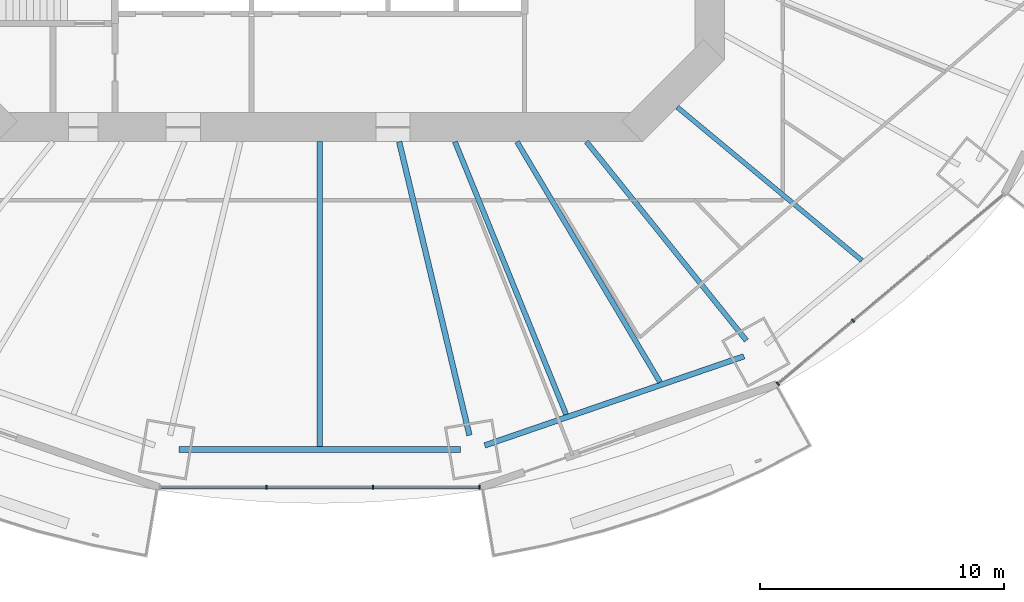
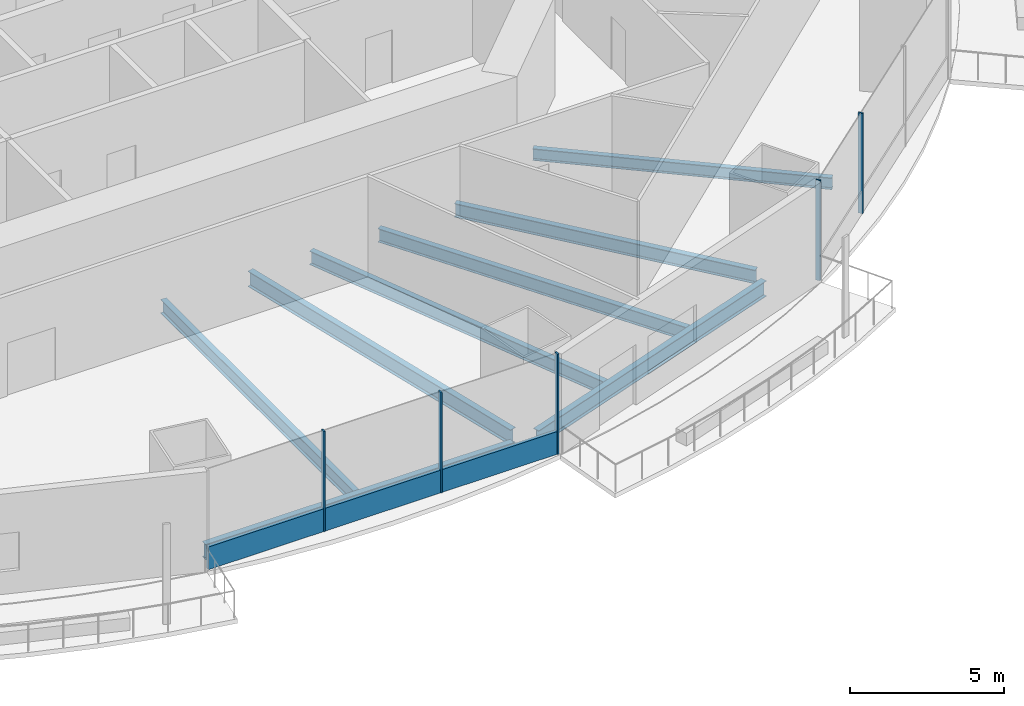
# One storey, part 4 of 21: 8 beams, 6 members, 2 elements without a shape of their own.
"""IFC4 building model written with IfcOpenShell, lengths in metres."""

import ifcopenshell
import ifcopenshell.guid

model = None  # the IFC model being written
_history = None  # IfcOwnerHistory: only IFC2X3 demands one
_inside = {}  # id of a spatial element -> (the spatial element, [elements in it])
_under = {}  # id of a project, library or spatial element -> (it, [spatial elements below it])
_declared = {}  # id of a project -> (the project, [libraries it declares])
_typed = {}  # id of a type object -> (the type object, [elements of that type])
_made_of = {}  # id of a material, layer set ... -> (it, [elements and type objects made of it])


def new_model(schema):
    """Start an empty IFC model of exactly this schema.

    Asked for "IFC4X3", IfcOpenShell would pick the latest addendum, in which some entities
    have other attributes; the version numbers below select the first issue.
    IFC2X3 requires an IfcOwnerHistory on every rooted entity: one is made here for all.
    """
    global model, _history
    if schema == "IFC4X3":
        model = ifcopenshell.file(schema_version=(4, 3, 0, 0))
    else:
        model = ifcopenshell.file(schema=schema)
    _inside.clear()
    _under.clear()
    _declared.clear()
    _typed.clear()
    _made_of.clear()
    _history = None
    if model.schema == "IFC2X3":
        org = make("IfcOrganization", Name="unknown")
        user = make(
            "IfcPersonAndOrganization",
            ThePerson=make("IfcPerson", FamilyName="unknown"),
            TheOrganization=org,
        )
        app = make(
            "IfcApplication",
            ApplicationDeveloper=org,
            Version="unknown",
            ApplicationFullName="unknown",
            ApplicationIdentifier="unknown",
        )
        _history = make(
            "IfcOwnerHistory",
            OwningUser=user,
            OwningApplication=app,
            ChangeAction="ADDED",
            CreationDate=0,
        )
    return model


def make(cls, **values):
    """One entity of the class cls with the attributes given. An attribute that is None is left unset."""
    return model.create_entity(
        cls, **{name: value for name, value in values.items() if value is not None}
    )


def rooted(cls, **values):
    """An entity with a GlobalId (a new one), such as an element, a storey or a relation."""
    return make(cls, GlobalId=ifcopenshell.guid.new(), OwnerHistory=_history, **values)


def si_unit(unit_type, name, prefix=None):
    """IfcSIUnit, for example si_unit("LENGTHUNIT", "METRE", prefix="MILLI")."""
    return make("IfcSIUnit", UnitType=unit_type, Prefix=prefix, Name=name)


def assignment(units):
    """IfcUnitAssignment: the units of a project."""
    return None if units is None else make("IfcUnitAssignment", Units=units)


def point(xyz):
    """IfcCartesianPoint."""
    return None if xyz is None else make("IfcCartesianPoint", Coordinates=xyz)


def direction(xyz):
    """IfcDirection."""
    return None if xyz is None else make("IfcDirection", DirectionRatios=xyz)


def frame(location, z_axis=None, x_axis=None):
    """IfcAxis2Placement3D, a coordinate frame: its origin and axes. An axis left out is left unset."""
    return make(
        "IfcAxis2Placement3D",
        Location=point(location),
        Axis=direction(z_axis),
        RefDirection=direction(x_axis),
    )


def frame_2d(location, x_axis=None):
    """IfcAxis2Placement2D, a coordinate frame in the plane: its origin and x axis."""
    return make(
        "IfcAxis2Placement2D", Location=point(location), RefDirection=direction(x_axis)
    )


def origin():
    """The frame at (0, 0, 0) with its axes left unset."""
    return frame((0.0, 0.0, 0.0))


def origin_2d():
    """The frame at (0, 0) in the plane with its x axis left unset."""
    return frame_2d((0.0, 0.0))


def place(relative_to, where):
    """IfcLocalPlacement: puts the frame where relative to a parent placement (None: the world)."""
    return make(
        "IfcLocalPlacement", PlacementRelTo=relative_to, RelativePlacement=where
    )


def context(
    kind, dimensions, precision=None, world=None, true_north=None, identifier=None
):
    """IfcGeometricRepresentationContext, for example the 3D "Model" context."""
    return make(
        "IfcGeometricRepresentationContext",
        ContextIdentifier=identifier,
        ContextType=kind,
        CoordinateSpaceDimension=dimensions,
        Precision=precision,
        WorldCoordinateSystem=world,
        TrueNorth=true_north,
    )


def subcontext(parent, identifier, kind, view, scale=None):
    """IfcGeometricRepresentationSubContext, for example "Body" below "Model"."""
    return make(
        "IfcGeometricRepresentationSubContext",
        ContextIdentifier=identifier,
        ContextType=kind,
        ParentContext=parent,
        TargetScale=scale,
        TargetView=view,
    )


def project(units=None, contexts=None):
    """IfcProject with its units and contexts."""
    return rooted(
        "IfcProject",
        Name="project",
        RepresentationContexts=contexts,
        UnitsInContext=assignment(units),
    )


def spatial(cls, under=None, at=None, **own):
    """A site, building, storey or space (cls), placed at a placement, below another one or the project."""
    s = rooted(cls, ObjectPlacement=at, **own)
    if under is not None:
        _under.setdefault(under.id(), (under, []))[1].append(s)
    return s


def profile(cls, at=None, kind="AREA", **sizes):
    """A parametric profile (cls). Its sizes go by their IFC names, for example OverallWidth=200.0."""
    return make(cls, ProfileType=kind, Position=at, **sizes)


def rectangle(**sizes):
    """IfcRectangleProfileDef."""
    return profile("IfcRectangleProfileDef", **sizes)


def i_section(**sizes):
    """IfcIShapeProfileDef."""
    return profile("IfcIShapeProfileDef", **sizes)


def extrude(swept, where, along, depth):
    """IfcExtrudedAreaSolid: the profile swept, set in the frame where, extruded along a direction by depth."""
    return make(
        "IfcExtrudedAreaSolid",
        SweptArea=swept,
        Position=where,
        ExtrudedDirection=direction(along),
        Depth=depth,
    )


def shape(context_of_items, identifier, shape_type, items):
    """IfcShapeRepresentation: the items that make up one representation, for example the "Body"."""
    return make(
        "IfcShapeRepresentation",
        ContextOfItems=context_of_items,
        RepresentationIdentifier=identifier,
        RepresentationType=shape_type,
        Items=items,
    )


def material(Name=None, Category=None):
    """IfcMaterial."""
    return make("IfcMaterial", Name=Name, Category=Category)


def material_profile(
    of_material, cross_section, Name=None, Category=None, Priority=None
):
    """IfcMaterialProfile: a cross section and its material."""
    return make(
        "IfcMaterialProfile",
        Name=Name,
        Material=of_material,
        Profile=cross_section,
        Priority=Priority,
        Category=Category,
    )


def profile_set(profiles, Name=None, composite=None):
    """IfcMaterialProfileSet."""
    return make(
        "IfcMaterialProfileSet",
        Name=Name,
        MaterialProfiles=profiles,
        CompositeProfile=composite,
    )


def made_of(thing, what):
    """Note that an element or type object is made of a material, layer set ...; save() writes the relation."""
    if what is not None:
        _made_of.setdefault(what.id(), (what, []))[1].append(thing)
    return thing


def type_object(cls, material=None, **own):
    """A type object (cls), such as IfcWallType, which elements share."""
    return made_of(rooted(cls, **own), material)


def element(
    cls,
    number,
    at=None,
    inside=None,
    cuts=None,
    type_object=None,
    material=None,
    context=None,
    identifier="Body",
    shape_type=None,
    held_by="IfcProductDefinitionShape",
    body=None,
    shapes=None,
    **own,
):
    """One element of the class cls, such as IfcWall. Its Tag is "e" and its number.

    at: its placement. inside: the storey or other place that contains it. cuts: it is an
    opening in that element (IfcRelVoidsElement). A single representation is given by context,
    identifier, shape_type and body (its items); several are given by shapes. held_by: the class
    of the entity that holds the representations. save() writes the other relations.
    """
    e = rooted(cls, Tag="e%d" % number, ObjectPlacement=at, **own)
    if body is not None:
        shapes = [shape(context, identifier, shape_type, body)]
    if shapes is not None:
        e.Representation = make(held_by, Representations=shapes)
    if inside is not None:
        _inside.setdefault(inside.id(), (inside, []))[1].append(e)
    if cuts is not None:
        rooted(
            "IfcRelVoidsElement", RelatingBuildingElement=cuts, RelatedOpeningElement=e
        )
    if type_object is not None:
        _typed.setdefault(type_object.id(), (type_object, []))[1].append(e)
    return made_of(e, material)


def aggregate(whole, parts):
    """IfcRelAggregates: a whole, such as a stair, and the parts it consists of."""
    return rooted("IfcRelAggregates", RelatingObject=whole, RelatedObjects=parts)


def save(model, path):
    """Write the relations noted so far, then the file.

    IfcRelAggregates (storeys below a building ...), IfcRelContainedInSpatialStructure (elements
    in a storey), IfcRelDefinesByType, IfcRelAssociatesMaterial and IfcRelDeclares: one each for
    every whole, place, type object, material and project.
    """
    for whole, parts in _under.values():
        aggregate(whole, parts)
    for where, things in _inside.values():
        rooted(
            "IfcRelContainedInSpatialStructure",
            RelatedElements=things,
            RelatingStructure=where,
        )
    for kind, things in _typed.values():
        rooted("IfcRelDefinesByType", RelatedObjects=things, RelatingType=kind)
    for what, things in _made_of.values():
        rooted("IfcRelAssociatesMaterial", RelatedObjects=things, RelatingMaterial=what)
    for by, libraries in _declared.values():
        rooted("IfcRelDeclares", RelatingContext=by, RelatedDefinitions=libraries)
    model.write(path)


model = new_model("IFC4")

# Units and contexts
model_context = context("Model", 3, precision=1e-05, world=origin(), true_north=direction((0.0, 1.0)))
body_context = subcontext(model_context, "Body", "Model", "MODEL_VIEW")
ifc_project = project(units=[si_unit("LENGTHUNIT", "METRE"), si_unit("AREAUNIT", "SQUARE_METRE"), si_unit("VOLUMEUNIT", "CUBIC_METRE"), si_unit("PLANEANGLEUNIT", "RADIAN"), si_unit("MASSUNIT", "GRAM", prefix="KILO")], contexts=[model_context])

# Site, building, storey
site_placement = place(None, origin())
site = spatial("IfcSite", under=ifc_project, at=site_placement, CompositionType="ELEMENT")
building_placement = place(site_placement, origin())
building = spatial("IfcBuilding", under=site, at=building_placement, Name="Marenthal Gate Tower", CompositionType="ELEMENT")
storey_placement = place(building_placement, frame((0.0, 0.0, 128.449951171875)))
storey = spatial("IfcBuildingStorey", under=building, at=storey_placement, Name="L27", CompositionType="ELEMENT", Elevation=128.449951171875)

# Curtain wall, members
ifc_material_1 = material(Name="Aluminium and glass", Category="aluminium")
curtain_wall_type = type_object("IfcCurtainWallType", Name="Curtain wall typical low", PredefinedType="NOTDEFINED", material=ifc_material_1)
curtain_wall_1_placement = place(storey_placement, origin())
curtain_wall_1 = element("IfcCurtainWall", 1, at=curtain_wall_1_placement, inside=storey, type_object=curtain_wall_type, Name="Curtain wall L27 bay 12", PredefinedType="NOTDEFINED")
ifc_material_2 = material(Name="Aluminium", Category="aluminium")
ifc_material_profile_1 = material_profile(ifc_material_2, rectangle(XDim=0.159912109375, YDim=0.06005859375, at=origin_2d()), Name="60x160 aluminium mullion")
ifc_profile_set_1 = profile_set([ifc_material_profile_1], Name="Aluminium")
member_type_1 = type_object("IfcMemberType", Name="Mullion 60x160 typical low", PredefinedType="MULLION", material=ifc_profile_set_1)
member_1_placement = place(storey_placement, frame((-2.18701171875, -27.77783203125, 0.0), z_axis=(0.0, 0.0, 1.0), x_axis=(0.0, 1.0, 0.0)))
member_1 = element("IfcMember", 2, at=member_1_placement, type_object=member_type_1, Name="Mullion L27 bay 12.2", PredefinedType="MULLION", context=body_context, shape_type="SweptSolid", body=[
    extrude(rectangle(XDim=0.159912109375, YDim=0.06005859375, at=origin_2d()), origin(), (0.0, 0.0, 1.0), 3.969970703125),
])
member_2_placement = place(storey_placement, frame((2.18701171875, -27.77783203125, 0.0), z_axis=(0.0, 0.0, 1.0), x_axis=(0.0, 1.0, 0.0)))
member_2 = element("IfcMember", 3, at=member_2_placement, type_object=member_type_1, Name="Mullion L27 bay 12.3", PredefinedType="MULLION", context=body_context, shape_type="SweptSolid", body=[
    extrude(rectangle(XDim=0.159912109375, YDim=0.06005859375, at=origin_2d()), origin(), (0.0, 0.0, 1.0), 3.969970703125),
])
member_3_placement = place(storey_placement, frame((6.560791015625, -27.77783203125, 0.0), z_axis=(0.0, 0.0, 1.0), x_axis=(0.0, 1.0, 0.0)))
member_3 = element("IfcMember", 4, at=member_3_placement, type_object=member_type_1, Name="Mullion L27 bay 12.4", PredefinedType="MULLION", context=body_context, shape_type="SweptSolid", body=[
    extrude(rectangle(XDim=0.159912109375, YDim=0.06005859375, at=origin_2d()), origin(), (0.0, 0.0, 1.0), 3.969970703125),
])

curtain_wall_2_placement = place(storey_placement, origin())
curtain_wall_2 = element("IfcCurtainWall", 5, at=curtain_wall_2_placement, inside=storey, type_object=curtain_wall_type, Name="Curtain wall L27 bay 14", PredefinedType="NOTDEFINED")
member_4_placement = place(storey_placement, frame((18.79248046875, -23.529541015625, 0.0), z_axis=(0.0, 0.0, 1.0), x_axis=(-0.642437868504, 0.766337774817, 0.0)))
member_4 = element("IfcMember", 6, at=member_4_placement, type_object=member_type_1, Name="Mullion L27 bay 14.1", PredefinedType="MULLION", context=body_context, shape_type="SweptSolid", body=[
    extrude(rectangle(XDim=0.159912109375, YDim=0.06005859375, at=origin_2d()), origin(), (0.0, 0.0, 1.0), 3.969970703125),
])
member_5_placement = place(storey_placement, frame((21.884033203125, -20.937744140625, 0.0), z_axis=(0.0, 0.0, 1.0), x_axis=(-0.642437868504, 0.766337774817, 0.0)))
member_5 = element("IfcMember", 7, at=member_5_placement, type_object=member_type_1, Name="Mullion L27 bay 14.2", PredefinedType="MULLION", context=body_context, shape_type="SweptSolid", body=[
    extrude(rectangle(XDim=0.159912109375, YDim=0.06005859375, at=origin_2d()), origin(), (0.0, 0.0, 1.0), 3.969970703125),
])
aggregate(curtain_wall_2, [member_4, member_5])

# Member
ifc_material_3 = material(Name="Aluminium", Category="aluminium")
ifc_material_profile_2 = material_profile(ifc_material_3, rectangle(XDim=0.1201171875, YDim=0.89990234375, at=origin_2d()), Name="120x900 aluminium transom")
ifc_profile_set_2 = profile_set([ifc_material_profile_2], Name="Aluminium")
member_type_2 = type_object("IfcMemberType", Name="Transom 120x900 typical low", PredefinedType="USERDEFINED", material=ifc_profile_set_2)
member_6_placement = place(storey_placement, frame((-6.531005859375, -27.77783203125, 0.449951171875), z_axis=(1.0, 0.0, 0.0), x_axis=(0.0, 1.0, 0.0)))
member_6 = element("IfcMember", 8, at=member_6_placement, type_object=member_type_2, Name="Transom L27 bay 12", ObjectType="TRANSOM", PredefinedType="USERDEFINED", context=body_context, shape_type="SweptSolid", body=[
    extrude(rectangle(XDim=0.1201171875, YDim=0.89990234375, at=origin_2d()), origin(), (0.0, 0.0, 1.0), 13.06201171875),
])

aggregate(curtain_wall_1, [member_1, member_2, member_3, member_6])

# Beams
ifc_material_4 = material(Name="Steel S355", Category="steel")
ifc_material_profile_3 = material_profile(ifc_material_4, i_section(OverallWidth=0.193115234375, OverallDepth=0.467041015625, WebThickness=0.011474609375, FlangeThickness=0.01904296875, FilletRadius=0.010009765625, at=origin_2d()), Name="W460X97")
ifc_profile_set_3 = profile_set([ifc_material_profile_3], Name="Steel S355")
beam_type_1 = type_object("IfcBeamType", Name="W460X97 beam", PredefinedType="BEAM", material=ifc_profile_set_3)
beam_1_placement = place(storey_placement, frame((22.244384765625, -18.4716796875, -0.413330078125), z_axis=(-0.7693296468, 0.638852013031, 0.0), x_axis=(-0.638852013031, -0.7693296468, 0.0)))
element("IfcBeam", 9, at=beam_1_placement, inside=storey, type_object=beam_type_1, Name="BM-L27-37", PredefinedType="BEAM", context=body_context, shape_type="SweptSolid", body=[
    extrude(i_section(OverallWidth=0.193115234375, OverallDepth=0.467041015625, WebThickness=0.011474609375, FlangeThickness=0.01904296875, FilletRadius=0.010009765625, at=origin_2d()), origin(), (0.0, 0.0, 1.0), 9.84765625),
])
ifc_material_5 = material(Name="Steel S355", Category="steel")
ifc_material_profile_4 = material_profile(ifc_material_5, i_section(OverallWidth=0.2099609375, OverallDepth=0.535888671875, WebThickness=0.010986328125, FlangeThickness=0.017333984375, FilletRadius=0.0126953125, at=origin_2d()), Name="W530X101")
ifc_profile_set_4 = profile_set([ifc_material_profile_4], Name="Steel S355")
beam_type_2 = type_object("IfcBeamType", Name="W530X101 beam", PredefinedType="BEAM", material=ifc_profile_set_4)
beam_2_placement = place(storey_placement, frame((13.962158203125, -23.4658203125, -0.447998046875), z_axis=(-0.51133355271, 0.859382335095, 0.0), x_axis=(-0.859382335095, -0.51133355271, 0.0)))
element("IfcBeam", 10, at=beam_2_placement, inside=storey, type_object=beam_type_2, Name="BM-L27-36", PredefinedType="BEAM", context=body_context, shape_type="SweptSolid", body=[
    extrude(i_section(OverallWidth=0.2099609375, OverallDepth=0.535888671875, WebThickness=0.010986328125, FlangeThickness=0.017333984375, FilletRadius=0.0126953125, at=origin_2d()), origin(), (0.0, 0.0, 1.0), 11.47998046875),
])
ifc_material_6 = material(Name="Steel S355", Category="steel")
ifc_material_profile_5 = material_profile(ifc_material_6, i_section(OverallWidth=0.2119140625, OverallDepth=0.5439453125, WebThickness=0.01318359375, FlangeThickness=0.021240234375, FilletRadius=0.0126953125, at=origin_2d()), Name="W530X123")
ifc_profile_set_5 = profile_set([ifc_material_profile_5], Name="Steel S355")
beam_type_3 = type_object("IfcBeamType", Name="W530X123 beam", PredefinedType="BEAM", material=ifc_profile_set_5)
beam_3_placement = place(storey_placement, frame((17.505126953125, -21.755126953125, -0.451904296875), z_axis=(-0.626891327439, 0.779106708726, 0.0), x_axis=(-0.779106708726, -0.626891327439, 0.0)))
element("IfcBeam", 11, at=beam_3_placement, inside=storey, type_object=beam_type_3, Name="BM-L27-14", PredefinedType="BEAM", context=body_context, shape_type="SweptSolid", body=[
    extrude(i_section(OverallWidth=0.2119140625, OverallDepth=0.5439453125, WebThickness=0.01318359375, FlangeThickness=0.021240234375, FilletRadius=0.0126953125, at=origin_2d()), origin(), (0.0, 0.0, 1.0), 10.467041015625),
])
beam_4_placement = place(storey_placement, frame((0.0, -26.11376953125, -0.451904296875), z_axis=(0.0, 1.0, 0.0), x_axis=(-1.0, 0.0, 0.0)))
element("IfcBeam", 12, at=beam_4_placement, inside=storey, type_object=beam_type_3, Name="BM-L27-34", PredefinedType="BEAM", context=body_context, shape_type="SweptSolid", body=[
    extrude(i_section(OverallWidth=0.2119140625, OverallDepth=0.5439453125, WebThickness=0.01318359375, FlangeThickness=0.021240234375, FilletRadius=0.0126953125, at=origin_2d()), origin(), (0.0, 0.0, 1.0), 12.513671875),
])
beam_5_placement = place(storey_placement, frame((10.10888671875, -24.791015625, -0.451904296875), z_axis=(-0.377578568114, 0.92597755097, 0.0), x_axis=(-0.92597755097, -0.377578568114, 0.0)))
element("IfcBeam", 13, at=beam_5_placement, inside=storey, type_object=beam_type_3, Name="BM-L27-35", PredefinedType="BEAM", context=body_context, shape_type="SweptSolid", body=[
    extrude(i_section(OverallWidth=0.2119140625, OverallDepth=0.5439453125, WebThickness=0.01318359375, FlangeThickness=0.021240234375, FilletRadius=0.0126953125, at=origin_2d()), origin(), (0.0, 0.0, 1.0), 12.08544921875),
])
ifc_material_7 = material(Name="Steel S355", Category="steel")
ifc_material_profile_6 = material_profile(ifc_material_7, i_section(OverallWidth=0.22900390625, OverallDepth=0.612060546875, WebThickness=0.011962890625, FlangeThickness=0.01953125, FilletRadius=0.0126953125, at=origin_2d()), Name="W610X125")
ifc_profile_set_6 = profile_set([ifc_material_profile_6], Name="Steel S355")
beam_type_4 = type_object("IfcBeamType", Name="W610X125 beam", PredefinedType="BEAM", material=ifc_profile_set_6)
beam_6_placement = place(storey_placement, frame((6.142333984375, -25.641845703125, -0.48583984375), z_axis=(-0.232953092767, 0.972487972455, 0.0), x_axis=(-0.972487972455, -0.232953092767, 0.0)))
element("IfcBeam", 14, at=beam_6_placement, inside=storey, type_object=beam_type_4, Name="BM-L27-13", PredefinedType="BEAM", context=body_context, shape_type="SweptSolid", body=[
    extrude(i_section(OverallWidth=0.22900390625, OverallDepth=0.612060546875, WebThickness=0.011962890625, FlangeThickness=0.01953125, FilletRadius=0.0126953125, at=origin_2d()), origin(), (0.0, 0.0, 1.0), 12.38232421875),
])
beam_7_placement = place(storey_placement, frame((-5.769287109375, -26.228271484375, -0.48583984375), z_axis=(1.0, 0.0, 0.0), x_axis=(0.0, 1.0, 0.0)))
element("IfcBeam", 15, at=beam_7_placement, inside=storey, type_object=beam_type_4, Name="BM-L27-52", PredefinedType="BEAM", context=body_context, shape_type="SweptSolid", body=[
    extrude(i_section(OverallWidth=0.22900390625, OverallDepth=0.612060546875, WebThickness=0.011962890625, FlangeThickness=0.01953125, FilletRadius=0.0126953125, at=origin_2d()), origin(), (0.0, 0.0, 1.0), 11.53857421875),
])
beam_8_placement = place(storey_placement, frame((6.76904296875, -26.060791015625, -0.48583984375), z_axis=(0.945627146872, 0.325252669626, 0.0), x_axis=(-0.325252669626, 0.945627146872, 0.0)))
element("IfcBeam", 16, at=beam_8_placement, inside=storey, type_object=beam_type_4, Name="BM-L27-53", PredefinedType="BEAM", context=body_context, shape_type="SweptSolid", body=[
    extrude(i_section(OverallWidth=0.22900390625, OverallDepth=0.612060546875, WebThickness=0.011962890625, FlangeThickness=0.01953125, FilletRadius=0.0126953125, at=origin_2d()), origin(), (0.0, 0.0, 1.0), 11.24658203125),
])

save(model, "model.ifc")
